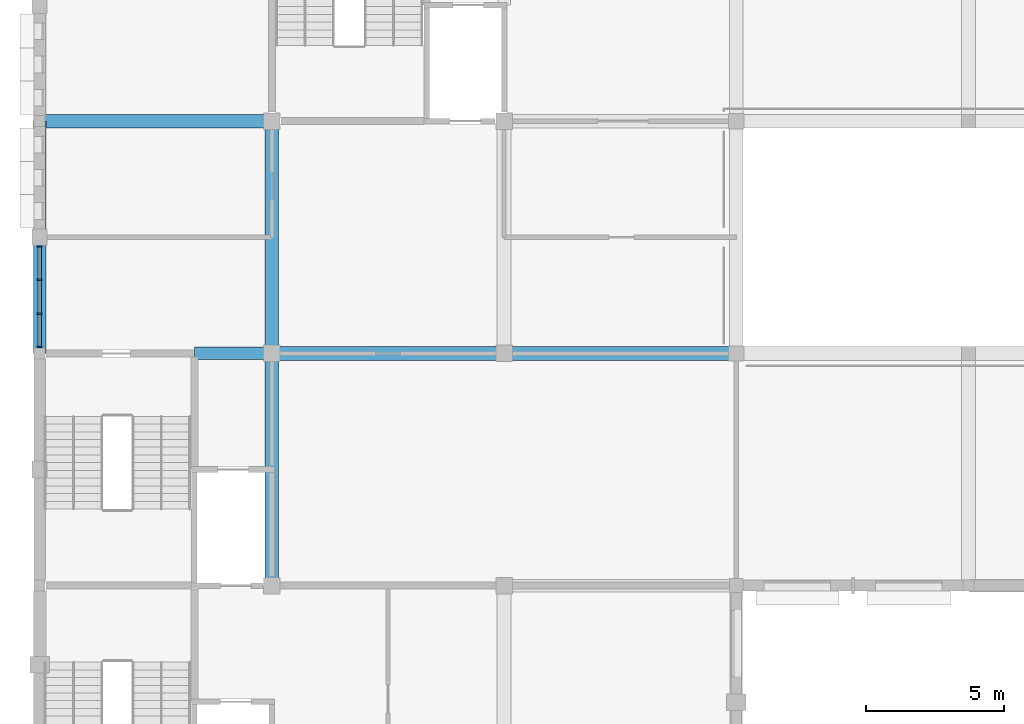
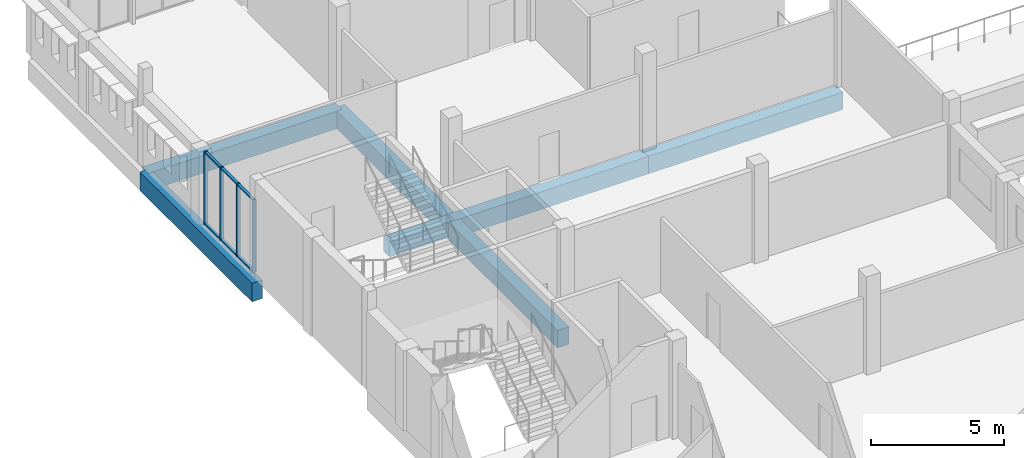
# One storey, part 39 of 116: 10 members, 7 beams, 1 element without a shape of its own.
"""IFC4 building model written with IfcOpenShell, lengths in metres."""

from ifc_helpers import new_model, si_unit, direction, frame, origin, origin_2d, place, context, subcontext, project, spatial, rectangle, extrude, material, material_profile, profile_set, type_object, element, aggregate, save


model = new_model("IFC4")

# Units and contexts
model_context = context("Model", 3, precision=1e-05, world=origin(), true_north=direction((0.0, 1.0)))
body_context = subcontext(model_context, "Body", "Model", "MODEL_VIEW")
ifc_project = project(units=[si_unit("LENGTHUNIT", "METRE"), si_unit("AREAUNIT", "SQUARE_METRE"), si_unit("VOLUMEUNIT", "CUBIC_METRE"), si_unit("PLANEANGLEUNIT", "RADIAN"), si_unit("MASSUNIT", "GRAM", prefix="KILO")], contexts=[model_context])

# Site, building, storey
site_placement = place(None, origin())
site = spatial("IfcSite", under=ifc_project, at=site_placement, CompositionType="ELEMENT")
building_placement = place(site_placement, origin())
building = spatial("IfcBuilding", under=site, at=building_placement, Name="Fescue Hill Polytechnic", CompositionType="ELEMENT")
storey_placement = place(building_placement, frame((0.0, 0.0, 13.5)))
storey = spatial("IfcBuildingStorey", under=building, at=storey_placement, Name="L03", CompositionType="ELEMENT", Elevation=13.5)

# Beams
ifc_material_1 = material(Name="Concrete 35 MPa", Category="concrete")
ifc_material_profile_1 = material_profile(ifc_material_1, rectangle(XDim=0.449951171875, YDim=0.699951171875, at=origin_2d()), Name="RC 450x700")
ifc_profile_set_1 = profile_set([ifc_material_profile_1], Name="Concrete 35 MPa")
beam_type_1 = type_object("IfcBeamType", Name="Beam RC 450x700", PredefinedType="BEAM", material=ifc_profile_set_1)
beam_1_placement = place(storey_placement, frame((5.60009765625, 117.60009765625, -0.64990234375), z_axis=(1.0, 0.0, 0.0), x_axis=(0.0, 1.0, 0.0)))
element("IfcBeam", 1, at=beam_1_placement, inside=storey, type_object=beam_type_1, Name="BM-L03-0015", PredefinedType="BEAM", context=body_context, shape_type="SweptSolid", body=[
    extrude(rectangle(XDim=0.449951171875, YDim=0.699951171875, at=origin_2d()), origin(), (0.0, 0.0, 1.0), 2.789794921875),
])
ifc_material_profile_2 = material_profile(ifc_material_1, rectangle(XDim=0.449951171875, YDim=0.85009765625, at=origin_2d()), Name="RC 450x850")
ifc_profile_set_2 = profile_set([ifc_material_profile_2], Name="Concrete 35 MPa")
beam_type_2 = type_object("IfcBeamType", Name="Beam RC 450x850", PredefinedType="BEAM", material=ifc_profile_set_2)
beam_2_placement = place(storey_placement, frame((0.0, 117.60009765625, -0.72509765625), z_axis=(0.0, 1.0, 0.0), x_axis=(-1.0, 0.0, 0.0)))
element("IfcBeam", 2, at=beam_2_placement, inside=storey, type_object=beam_type_2, Name="BM-L03-0006", PredefinedType="BEAM", context=body_context, shape_type="SweptSolid", body=[
    extrude(rectangle(XDim=0.449951171875, YDim=0.85009765625, at=origin_2d()), origin(), (0.0, 0.0, 1.0), 8.39990234375),
])
ifc_material_profile_3 = material_profile(ifc_material_1, rectangle(XDim=0.5, YDim=0.800048828125, at=origin_2d()), Name="RC 500x800")
ifc_profile_set_3 = profile_set([ifc_material_profile_3], Name="Concrete 35 MPa")
beam_type_3 = type_object("IfcBeamType", Name="Beam RC 500x800", PredefinedType="BEAM", material=ifc_profile_set_3)
beam_3_placement = place(storey_placement, frame((0.010009765625, 126.0, -0.699951171875), z_axis=(1.0, 0.0, 0.0), x_axis=(0.0, 1.0, 0.0)))
element("IfcBeam", 3, at=beam_3_placement, inside=storey, type_object=beam_type_3, Name="BM-L03-0012", PredefinedType="BEAM", context=body_context, shape_type="SweptSolid", body=[
    extrude(rectangle(XDim=0.5, YDim=0.800048828125, at=origin_2d()), origin(), (0.0, 0.0, 1.0), 8.3798828125),
])
beam_4_placement = place(storey_placement, frame((8.39990234375, 109.199951171875, -0.699951171875), z_axis=(0.0, 1.0, 0.0), x_axis=(-1.0, 0.0, 0.0)))
element("IfcBeam", 4, at=beam_4_placement, inside=storey, type_object=beam_type_3, Name="BM-L03-0022", PredefinedType="BEAM", context=body_context, shape_type="SweptSolid", body=[
    extrude(rectangle(XDim=0.5, YDim=0.800048828125, at=origin_2d()), origin(), (0.0, 0.0, 1.0), 8.400146484375),
])
beam_5_placement = place(storey_placement, frame((8.39990234375, 117.60009765625, -0.699951171875), z_axis=(0.0, 1.0, 0.0), x_axis=(-1.0, 0.0, 0.0)))
element("IfcBeam", 5, at=beam_5_placement, inside=storey, type_object=beam_type_3, Name="BM-L03-0023", PredefinedType="BEAM", context=body_context, shape_type="SweptSolid", body=[
    extrude(rectangle(XDim=0.5, YDim=0.800048828125, at=origin_2d()), origin(), (0.0, 0.0, 1.0), 8.39990234375),
])
beam_6_placement = place(storey_placement, frame((8.409912109375, 117.60009765625, -0.699951171875), z_axis=(1.0, 0.0, 0.0), x_axis=(0.0, 1.0, 0.0)))
element("IfcBeam", 6, at=beam_6_placement, inside=storey, type_object=beam_type_3, Name="BM-L03-0030", PredefinedType="BEAM", context=body_context, shape_type="SweptSolid", body=[
    extrude(rectangle(XDim=0.5, YDim=0.800048828125, at=origin_2d()), origin(), (0.0, 0.0, 1.0), 8.39013671875),
])
beam_7_placement = place(storey_placement, frame((16.800048828125, 117.60009765625, -0.699951171875), z_axis=(1.0, 0.0, 0.0), x_axis=(0.0, 1.0, 0.0)))
element("IfcBeam", 7, at=beam_7_placement, inside=storey, type_object=beam_type_3, Name="BM-L03-0041", PredefinedType="BEAM", context=body_context, shape_type="SweptSolid", body=[
    extrude(rectangle(XDim=0.5, YDim=0.800048828125, at=origin_2d()), origin(), (0.0, 0.0, 1.0), 8.39990234375),
])

# Curtain wall, members
ifc_material_2 = material(Name="Glass", Category="glass")
curtain_wall_type = type_object("IfcCurtainWallType", Name="Curtain wall structural glazing", PredefinedType="NOTDEFINED", material=ifc_material_2)
curtain_wall_placement = place(storey_placement, origin())
curtain_wall = element("IfcCurtainWall", 8, at=curtain_wall_placement, inside=storey, type_object=curtain_wall_type, Name="CW-L03-V5-X1", PredefinedType="NOTDEFINED")
ifc_material_3 = material(Name="Powder-coated aluminium", Category="aluminium")
ifc_material_profile_4 = material_profile(ifc_material_3, rectangle(XDim=0.159912109375, YDim=0.06005859375, at=origin_2d()), Name="Mullion aluminium 60x160")
ifc_profile_set_4 = profile_set([ifc_material_profile_4], Name="Powder-coated aluminium")
member_type_1 = type_object("IfcMemberType", Name="Mullion aluminium 60x160", PredefinedType="MULLION", material=ifc_profile_set_4)
member_1_placement = place(storey_placement, frame((0.0, 121.469970703125, 0.0), z_axis=(0.0, 0.0, 1.0), x_axis=(1.0, 0.0, 0.0)))
member_1 = element("IfcMember", 9, at=member_1_placement, type_object=member_type_1, Name="CW146 mullion 1", PredefinedType="MULLION", context=body_context, shape_type="SweptSolid", body=[
    extrude(rectangle(XDim=0.159912109375, YDim=0.06005859375, at=origin_2d()), origin(), (0.0, 0.0, 1.0), 3.330078125),
])
member_2_placement = place(storey_placement, frame((0.0, 120.2666015625, 0.0), z_axis=(0.0, 0.0, 1.0), x_axis=(1.0, 0.0, 0.0)))
member_2 = element("IfcMember", 10, at=member_2_placement, type_object=member_type_1, Name="CW146 mullion 2", PredefinedType="MULLION", context=body_context, shape_type="SweptSolid", body=[
    extrude(rectangle(XDim=0.159912109375, YDim=0.06005859375, at=origin_2d()), origin(), (0.0, 0.0, 1.0), 3.330078125),
])
member_3_placement = place(storey_placement, frame((0.0, 119.033447265625, 0.0), z_axis=(0.0, 0.0, 1.0), x_axis=(1.0, 0.0, 0.0)))
member_3 = element("IfcMember", 11, at=member_3_placement, type_object=member_type_1, Name="CW146 mullion 3", PredefinedType="MULLION", context=body_context, shape_type="SweptSolid", body=[
    extrude(rectangle(XDim=0.159912109375, YDim=0.06005859375, at=origin_2d()), origin(), (0.0, 0.0, 1.0), 3.330078125),
])
member_4_placement = place(storey_placement, frame((0.0, 117.830078125, 0.0), z_axis=(0.0, 0.0, 1.0), x_axis=(1.0, 0.0, 0.0)))
member_4 = element("IfcMember", 12, at=member_4_placement, type_object=member_type_1, Name="CW146 mullion 4", PredefinedType="MULLION", context=body_context, shape_type="SweptSolid", body=[
    extrude(rectangle(XDim=0.159912109375, YDim=0.06005859375, at=origin_2d()), origin(), (0.0, 0.0, 1.0), 3.330078125),
])
ifc_material_profile_5 = material_profile(ifc_material_3, rectangle(XDim=0.1201171875, YDim=0.06005859375, at=origin_2d()), Name="Transom aluminium 60x120")
ifc_profile_set_5 = profile_set([ifc_material_profile_5], Name="Powder-coated aluminium")
member_type_2 = type_object("IfcMemberType", Name="Transom aluminium 60x120", PredefinedType="USERDEFINED", material=ifc_profile_set_5)
member_5_placement = place(storey_placement, frame((0.0, 121.43994140625, 0.030029296875), z_axis=(0.0, -1.0, 0.0), x_axis=(1.0, 0.0, 0.0)))
member_5 = element("IfcMember", 13, at=member_5_placement, type_object=member_type_2, Name="CW146 transom 1.1", ObjectType="TRANSOM", PredefinedType="USERDEFINED", context=body_context, shape_type="SweptSolid", body=[
    extrude(rectangle(XDim=0.1201171875, YDim=0.06005859375, at=origin_2d()), origin(), (0.0, 0.0, 1.0), 1.143310546875),
])
member_6_placement = place(storey_placement, frame((0.0, 121.43994140625, 3.300048828125), z_axis=(0.0, -1.0, 0.0), x_axis=(1.0, 0.0, 0.0)))
member_6 = element("IfcMember", 14, at=member_6_placement, type_object=member_type_2, Name="CW146 transom 1.2", ObjectType="TRANSOM", PredefinedType="USERDEFINED", context=body_context, shape_type="SweptSolid", body=[
    extrude(rectangle(XDim=0.1201171875, YDim=0.06005859375, at=origin_2d()), origin(), (0.0, 0.0, 1.0), 1.143310546875),
])
member_7_placement = place(storey_placement, frame((0.0, 120.236572265625, 0.030029296875), z_axis=(0.0, -1.0, 0.0), x_axis=(1.0, 0.0, 0.0)))
member_7 = element("IfcMember", 15, at=member_7_placement, type_object=member_type_2, Name="CW146 transom 2.1", ObjectType="TRANSOM", PredefinedType="USERDEFINED", context=body_context, shape_type="SweptSolid", body=[
    extrude(rectangle(XDim=0.1201171875, YDim=0.06005859375, at=origin_2d()), origin(), (0.0, 0.0, 1.0), 1.17333984375),
])
member_8_placement = place(storey_placement, frame((0.0, 120.236572265625, 3.300048828125), z_axis=(0.0, -1.0, 0.0), x_axis=(1.0, 0.0, 0.0)))
member_8 = element("IfcMember", 16, at=member_8_placement, type_object=member_type_2, Name="CW146 transom 2.2", ObjectType="TRANSOM", PredefinedType="USERDEFINED", context=body_context, shape_type="SweptSolid", body=[
    extrude(rectangle(XDim=0.1201171875, YDim=0.06005859375, at=origin_2d()), origin(), (0.0, 0.0, 1.0), 1.17333984375),
])
member_9_placement = place(storey_placement, frame((0.0, 119.00341796875, 0.030029296875), z_axis=(0.0, -1.0, 0.0), x_axis=(1.0, 0.0, 0.0)))
member_9 = element("IfcMember", 17, at=member_9_placement, type_object=member_type_2, Name="CW146 transom 3.1", ObjectType="TRANSOM", PredefinedType="USERDEFINED", context=body_context, shape_type="SweptSolid", body=[
    extrude(rectangle(XDim=0.1201171875, YDim=0.06005859375, at=origin_2d()), origin(), (0.0, 0.0, 1.0), 1.143310546875),
])
member_10_placement = place(storey_placement, frame((0.0, 119.00341796875, 3.300048828125), z_axis=(0.0, -1.0, 0.0), x_axis=(1.0, 0.0, 0.0)))
member_10 = element("IfcMember", 18, at=member_10_placement, type_object=member_type_2, Name="CW146 transom 3.2", ObjectType="TRANSOM", PredefinedType="USERDEFINED", context=body_context, shape_type="SweptSolid", body=[
    extrude(rectangle(XDim=0.1201171875, YDim=0.06005859375, at=origin_2d()), origin(), (0.0, 0.0, 1.0), 1.143310546875),
])
aggregate(curtain_wall, [member_1, member_2, member_3, member_4, member_5, member_6, member_7, member_8, member_9, member_10])

save(model, "model.ifc")
